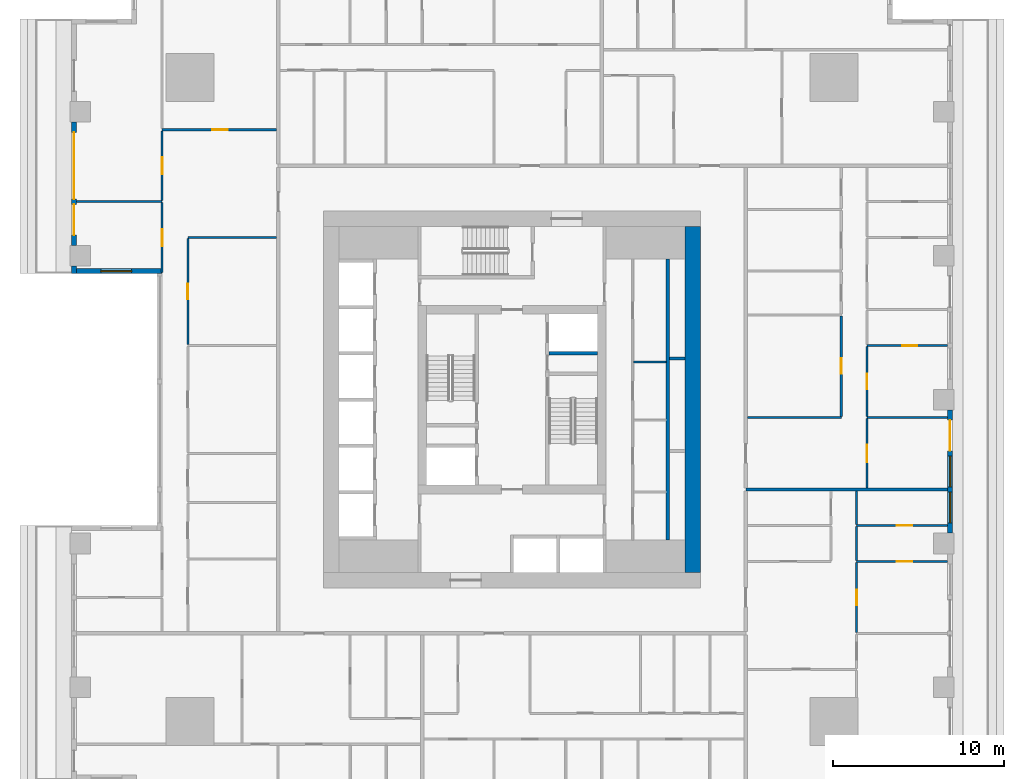
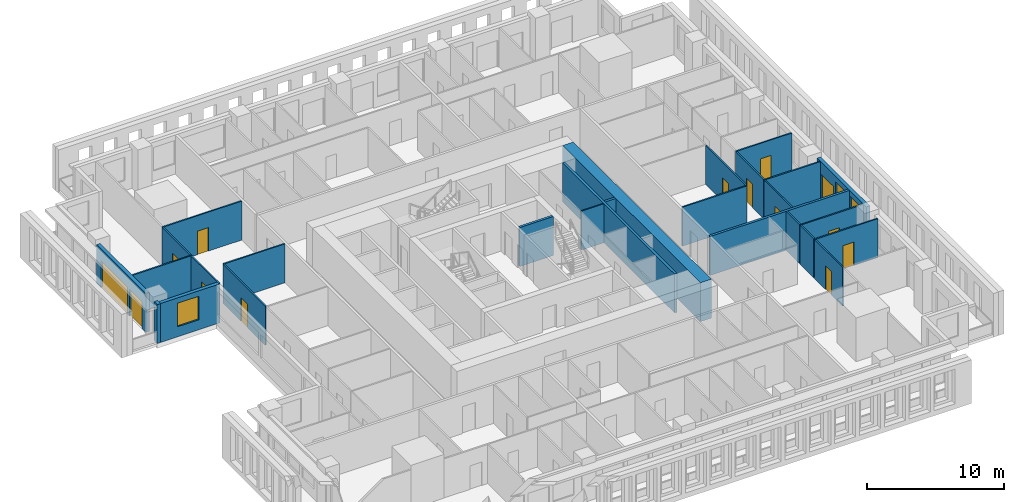
# One storey, part 6 of 15: 27 walls, 14 doors, 3 windows, 17 openings.
"""IFC4 building model written with IfcOpenShell, lengths in metres."""

from ifc_helpers import new_model, si_unit, direction, frame, frame_2d, origin, place, context, subcontext, project, spatial, rectangle, extrude, material, layer, layer_set, type_object, element, fill, save


model = new_model("IFC4")

# Units and contexts
model_context = context("Model", 3, precision=1e-05, world=origin(), true_north=direction((0.0, 1.0)))
body_context = subcontext(model_context, "Body", "Model", "MODEL_VIEW")
ifc_project = project(units=[si_unit("LENGTHUNIT", "METRE"), si_unit("AREAUNIT", "SQUARE_METRE"), si_unit("VOLUMEUNIT", "CUBIC_METRE"), si_unit("PLANEANGLEUNIT", "RADIAN"), si_unit("MASSUNIT", "GRAM", prefix="KILO")], contexts=[model_context])

# Site, building, storey
site_placement = place(None, origin())
site = spatial("IfcSite", under=ifc_project, at=site_placement, CompositionType="ELEMENT")
building_placement = place(site_placement, origin())
building = spatial("IfcBuilding", under=site, at=building_placement, Name="Khepri Terraces", CompositionType="ELEMENT")
storey_placement = place(building_placement, frame((0.0, 0.0, 98.699951171875)))
storey = spatial("IfcBuildingStorey", under=building, at=storey_placement, Name="L23", CompositionType="ELEMENT", Elevation=98.699951171875)

# Walls
ifc_material_1 = material(Name="Concrete C70/85", Category="concrete")
ifc_layer_1 = layer(ifc_material_1, 0.199951171875, Name="Concrete C70/85", Category="concrete")
ifc_layer_set_1 = layer_set([ifc_layer_1], Name="Concrete C70/85")
wall_type_1 = type_object("IfcWallType", Name="Core wall 200 C70/85", PredefinedType="SHEAR", material=ifc_layer_set_1)
wall_1_placement = place(storey_placement, frame((9.10009765625, -8.199951171875, 0.0), z_axis=(0.0, 0.0, 1.0), x_axis=(0.0, 1.0, 0.0)))
element("IfcWall", 1, at=wall_1_placement, inside=storey, type_object=wall_type_1, Name="Core wall SH05 L23", PredefinedType="SHEAR", context=body_context, shape_type="SweptSolid", body=[
    extrude(rectangle(XDim=16.39990234375, YDim=0.199951171875, at=frame_2d((8.199951171875, 0.0))), origin(), (0.0, 0.0, 1.0), 3.47998046875),
])
wall_2_placement = place(storey_placement, frame((9.199951171875, 2.39990234375, 0.0), z_axis=(0.0, 0.0, 1.0), x_axis=(1.0, 0.0, 0.0)))
element("IfcWall", 2, at=wall_2_placement, inside=storey, type_object=wall_type_1, Name="Core wall SH16 L23", PredefinedType="SHEAR", context=body_context, shape_type="SweptSolid", body=[
    extrude(rectangle(XDim=0.900146484375, YDim=0.199951171875, at=frame_2d((0.4501953125, 0.0))), origin(), (0.0, 0.0, 1.0), 3.47998046875),
])
wall_3_placement = place(storey_placement, frame((2.14990234375, 2.699951171875, 0.0), z_axis=(0.0, 0.0, 1.0), x_axis=(1.0, 0.0, 0.0)))
element("IfcWall", 3, at=wall_3_placement, inside=storey, type_object=wall_type_1, Name="Core wall SH18 L23", PredefinedType="SHEAR", context=body_context, shape_type="SweptSolid", body=[
    extrude(rectangle(XDim=2.85009765625, YDim=0.199951171875, at=frame_2d((1.425048828125, 0.0))), origin(), (0.0, 0.0, 1.0), 3.47998046875),
])
ifc_layer_2 = layer(ifc_material_1, 0.89990234375, Name="Concrete C70/85", Category="concrete")
ifc_layer_set_2 = layer_set([ifc_layer_2], Name="Concrete C70/85")
wall_type_2 = type_object("IfcWallType", Name="Core wall 900 C70/85", PredefinedType="SHEAR", material=ifc_layer_set_2)
wall_4_placement = place(storey_placement, frame((10.550048828125, -10.10009765625, 0.0), z_axis=(0.0, 0.0, 1.0), x_axis=(0.0, 1.0, 0.0)))
element("IfcWall", 4, at=wall_4_placement, inside=storey, type_object=wall_type_2, Name="Core wall OW-E L23", PredefinedType="SHEAR", context=body_context, shape_type="SweptSolid", body=[
    extrude(rectangle(XDim=20.2001953125, YDim=0.89990234375, at=frame_2d((10.10009765625, 0.0))), origin(), (0.0, 0.0, 1.0), 3.47998046875),
])
ifc_material_2 = material(Name="Fire-rated gypsum board partition")
ifc_layer_3 = layer(ifc_material_2, 0.10009765625, Name="Fire-rated gypsum board partition")
ifc_layer_set_3 = layer_set([ifc_layer_3], Name="Fire-rated gypsum board partition")
wall_type_3 = type_object("IfcWallType", Name="WL-CORE-PART-100", PredefinedType="PARTITIONING", material=ifc_layer_set_3)
wall_5_placement = place(storey_placement, frame((7.10009765625, 2.199951171875, 0.0), z_axis=(0.0, 0.0, 1.0), x_axis=(1.0, 0.0, 0.0)))
element("IfcWall", 5, at=wall_5_placement, inside=storey, type_object=wall_type_3, Name="Core partition PT06 L23", PredefinedType="PARTITIONING", context=body_context, shape_type="SweptSolid", body=[
    extrude(rectangle(XDim=1.89990234375, YDim=0.10009765625, at=frame_2d((0.949951171875, 0.0))), origin(), (0.0, 0.0, 1.0), 3.47998046875),
])
ifc_material_3 = material(Name="Fire-rated gypsum plasterboard partition, mineral wool")
ifc_layer_4 = layer(ifc_material_3, 0.199951171875, Name="Fire-rated gypsum plasterboard partition, mineral wool")
ifc_layer_set_4 = layer_set([ifc_layer_4], Name="Fire-rated gypsum plasterboard partition, mineral wool")
wall_type_4 = type_object("IfcWallType", Name="WL-CORR-200", PredefinedType="PARTITIONING", material=ifc_layer_set_4)
wall_6_placement = place(storey_placement, frame((13.64990234375, -5.25, 0.0), z_axis=(0.0, 0.0, 1.0), x_axis=(1.0, 0.0, 0.0)))
element("IfcWall", 6, at=wall_6_placement, inside=storey, type_object=wall_type_4, Name="Partition P-051 L23", PredefinedType="PARTITIONING", context=body_context, shape_type="SweptSolid", body=[
    extrude(rectangle(XDim=11.77001953125, YDim=0.199951171875, at=frame_2d((5.885009765625, 0.0))), origin(), (0.0, 0.0, 1.0), 3.47998046875),
])

# Wall, openings, door, windows
ifc_material_4 = material(Name="Precast concrete C50/60 warm stone", Category="masonry")
ifc_layer_5 = layer(ifc_material_4, 0.300048828125, Name="Precast concrete C50/60 warm stone", Category="masonry")
ifc_layer_set_5 = layer_set([ifc_layer_5], Name="Precast concrete C50/60 warm stone")
wall_type_5 = type_object("IfcWallType", Name="WL-EXT-PRECAST-300", PredefinedType="STANDARD", material=ifc_layer_set_5)
wall_7_placement = place(storey_placement, frame((25.570068359375, -7.800048828125, 0.0), z_axis=(0.0, 0.0, 1.0), x_axis=(0.0, 1.0, 0.0)))
wall_7 = element("IfcWall", 7, at=wall_7_placement, inside=storey, type_object=wall_type_5, Name="External wall L23 E", PredefinedType="STANDARD", context=body_context, shape_type="SweptSolid", body=[
    extrude(rectangle(XDim=7.199951171875, YDim=0.300048828125, at=frame_2d((3.60009765625, 0.0))), origin(), (0.0, 0.0, 1.0), 3.47998046875),
])
opening_1_placement = place(wall_7_placement, frame((0.60009765625, 0.0, 0.89990234375)))
opening_1 = element("IfcOpeningElement", 8, at=opening_1_placement, cuts=wall_7, Name="Opening W1", PredefinedType="OPENING", context=body_context, shape_type="SweptSolid", body=[
    extrude(rectangle(XDim=1.800048828125, YDim=2.10009765625, at=frame_2d((0.89990234375, 1.050048828125))), frame((0.0, 0.16015625, 0.0), z_axis=(0.0, -1.0, 0.0), x_axis=(1.0, 0.0, 0.0)), (0.0, 0.0, 1.0), 0.320068359375),
])
opening_2_placement = place(wall_7_placement, frame((2.699951171875, 0.0, 0.89990234375)))
opening_2 = element("IfcOpeningElement", 9, at=opening_2_placement, cuts=wall_7, Name="Opening W1", PredefinedType="OPENING", context=body_context, shape_type="SweptSolid", body=[
    extrude(rectangle(XDim=1.800048828125, YDim=2.10009765625, at=frame_2d((0.89990234375, 1.050048828125))), frame((0.0, 0.16015625, 0.0), z_axis=(0.0, -1.0, 0.0), x_axis=(1.0, 0.0, 0.0)), (0.0, 0.0, 1.0), 0.320068359375),
])
opening_3_placement = place(wall_7_placement, frame((4.800048828125, 0.0, 0.0)))
opening_3 = element("IfcOpeningElement", 10, at=opening_3_placement, cuts=wall_7, Name="Opening ED-L23-04", PredefinedType="OPENING", context=body_context, shape_type="SweptSolid", body=[
    extrude(rectangle(XDim=1.800048828125, YDim=2.39990234375, at=frame_2d((0.89990234375, 1.199951171875))), frame((0.0, 0.16015625, 0.0), z_axis=(0.0, -1.0, 0.0), x_axis=(1.0, 0.0, 0.0)), (0.0, 0.0, 1.0), 0.320068359375),
])
ifc_material_5 = material(Name="Anodised aluminium bronze glazed door", Category="aluminium")
door_type_1 = type_object("IfcDoorType", Name="DR-BAL-SLIDE-1800x2400", OperationType="NOTDEFINED", PredefinedType="DOOR", material=ifc_material_5)
door_1_placement = place(opening_3_placement, origin())
door_1 = element("IfcDoor", 11, at=door_1_placement, inside=storey, type_object=door_type_1, Name="Balcony door L23 E", OperationType="SLIDING_TO_RIGHT", OverallHeight=2.39990234375, OverallWidth=1.800048828125, PredefinedType="DOOR", context=body_context, shape_type="SweptSolid", body=[
    extrude(rectangle(XDim=1.800048828125, YDim=2.39990234375, at=frame_2d((0.89990234375, 1.199951171875))), frame((0.0, 0.02490234375, 0.0), z_axis=(0.0, -1.0, 0.0), x_axis=(1.0, 0.0, 0.0)), (0.0, 0.0, 1.0), 0.050048828125),
])
fill(opening_3, door_1)
ifc_material_6 = material(Name="Clear glass", Category="glass")
window_type = type_object("IfcWindowType", Name="WIN-RES-1800x2100", PartitioningType="SINGLE_PANEL", PredefinedType="WINDOW", material=ifc_material_6)
window_1_placement = place(opening_1_placement, origin())
window_1 = element("IfcWindow", 12, at=window_1_placement, inside=storey, type_object=window_type, Name="Window L23 E", OverallHeight=2.10009765625, OverallWidth=1.800048828125, PartitioningType="SINGLE_PANEL", PredefinedType="WINDOW", context=body_context, shape_type="SweptSolid", body=[
    extrude(rectangle(XDim=1.800048828125, YDim=2.10009765625, at=frame_2d((0.89990234375, 1.050048828125))), frame((0.0, 0.030029296875, 0.0), z_axis=(0.0, -1.0, 0.0), x_axis=(1.0, 0.0, 0.0)), (0.0, 0.0, 1.0), 0.06005859375),
])
fill(opening_1, window_1)
window_2_placement = place(opening_2_placement, origin())
window_2 = element("IfcWindow", 13, at=window_2_placement, inside=storey, type_object=window_type, Name="Window L23 E", OverallHeight=2.10009765625, OverallWidth=1.800048828125, PartitioningType="SINGLE_PANEL", PredefinedType="WINDOW", context=body_context, shape_type="SweptSolid", body=[
    extrude(rectangle(XDim=1.800048828125, YDim=2.10009765625, at=frame_2d((0.89990234375, 1.050048828125))), frame((0.0, 0.030029296875, 0.0), z_axis=(0.0, -1.0, 0.0), x_axis=(1.0, 0.0, 0.0)), (0.0, 0.0, 1.0), 0.06005859375),
])
fill(opening_2, window_2)

# Wall, openings, doors
wall_8_placement = place(storey_placement, frame((-25.570068359375, 16.199951171875, 0.0), z_axis=(0.0, 0.0, 1.0), x_axis=(0.0, -1.0, 0.0)))
wall_8 = element("IfcWall", 14, at=wall_8_placement, inside=storey, type_object=wall_type_5, Name="External wall L23 W", PredefinedType="STANDARD", context=body_context, shape_type="SweptSolid", body=[
    extrude(rectangle(XDim=7.199951171875, YDim=0.300048828125, at=frame_2d((3.60009765625, 0.0))), origin(), (0.0, 0.0, 1.0), 3.47998046875),
])
opening_4_placement = place(wall_8_placement, frame((0.60009765625, 0.0, 0.0)))
opening_4 = element("IfcOpeningElement", 15, at=opening_4_placement, cuts=wall_8, Name="Opening ED-L23-14", PredefinedType="OPENING", context=body_context, shape_type="SweptSolid", body=[
    extrude(rectangle(XDim=3.89990234375, YDim=2.39990234375, at=frame_2d((1.949951171875, 1.199951171875))), frame((0.0, 0.16015625, 0.0), z_axis=(0.0, -1.0, 0.0), x_axis=(1.0, 0.0, 0.0)), (0.0, 0.0, 1.0), 0.320068359375),
])
opening_5_placement = place(wall_8_placement, frame((4.800048828125, 0.0, 0.0)))
opening_5 = element("IfcOpeningElement", 16, at=opening_5_placement, cuts=wall_8, Name="Opening ED-L23-15", PredefinedType="OPENING", context=body_context, shape_type="SweptSolid", body=[
    extrude(rectangle(XDim=1.800048828125, YDim=2.39990234375, at=frame_2d((0.89990234375, 1.199951171875))), frame((0.0, 0.16015625, 0.0), z_axis=(0.0, -1.0, 0.0), x_axis=(1.0, 0.0, 0.0)), (0.0, 0.0, 1.0), 0.320068359375),
])
door_2_placement = place(opening_5_placement, origin())
door_2 = element("IfcDoor", 17, at=door_2_placement, inside=storey, type_object=door_type_1, Name="Balcony door L23 W", OperationType="SLIDING_TO_RIGHT", OverallHeight=2.39990234375, OverallWidth=1.800048828125, PredefinedType="DOOR", context=body_context, shape_type="SweptSolid", body=[
    extrude(rectangle(XDim=1.800048828125, YDim=2.39990234375, at=frame_2d((0.89990234375, 1.199951171875))), frame((0.0, 0.02490234375, 0.0), z_axis=(0.0, -1.0, 0.0), x_axis=(1.0, 0.0, 0.0)), (0.0, 0.0, 1.0), 0.050048828125),
])
fill(opening_5, door_2)
door_type_2 = type_object("IfcDoorType", Name="DR-BAL-SLIDE-3900x2400", OperationType="NOTDEFINED", PredefinedType="DOOR", material=ifc_material_5)
door_3_placement = place(opening_4_placement, origin())
door_3 = element("IfcDoor", 18, at=door_3_placement, inside=storey, type_object=door_type_2, Name="Balcony door L23 W", OperationType="SLIDING_TO_LEFT", OverallHeight=2.39990234375, OverallWidth=3.89990234375, PredefinedType="DOOR", context=body_context, shape_type="SweptSolid", body=[
    extrude(rectangle(XDim=3.89990234375, YDim=2.39990234375, at=frame_2d((1.949951171875, 1.199951171875))), frame((0.0, 0.02490234375, 0.0), z_axis=(0.0, -1.0, 0.0), x_axis=(1.0, 0.0, 0.0)), (0.0, 0.0, 1.0), 0.050048828125),
])
fill(opening_4, door_3)

# Wall
wall_9_placement = place(storey_placement, frame((-25.570068359375, 7.800048828125, 0.0), z_axis=(0.0, 0.0, 1.0), x_axis=(0.0, -1.0, 0.0)))
element("IfcWall", 19, at=wall_9_placement, inside=storey, type_object=wall_type_5, Name="External wall L23 W", PredefinedType="STANDARD", context=body_context, shape_type="SweptSolid", body=[
    extrude(rectangle(XDim=0.449951171875, YDim=0.300048828125, at=frame_2d((0.22509765625, 0.0))), origin(), (0.0, 0.0, 1.0), 3.47998046875),
])

# Wall, opening, window
wall_10_placement = place(storey_placement, frame((-25.419921875, 7.5, 0.0), z_axis=(0.0, 0.0, 1.0), x_axis=(1.0, 0.0, 0.0)))
wall_10 = element("IfcWall", 20, at=wall_10_placement, inside=storey, type_object=wall_type_5, Name="External wall L23 S", PredefinedType="STANDARD", context=body_context, shape_type="SweptSolid", body=[
    extrude(rectangle(XDim=5.0, YDim=0.300048828125, at=frame_2d((2.5, 0.0))), origin(), (0.0, 0.0, 1.0), 3.47998046875),
])
opening_6_placement = place(wall_10_placement, frame((1.419921875, 0.0, 0.89990234375)))
opening_6 = element("IfcOpeningElement", 21, at=opening_6_placement, cuts=wall_10, Name="Opening W1", PredefinedType="OPENING", context=body_context, shape_type="SweptSolid", body=[
    extrude(rectangle(XDim=1.800048828125, YDim=2.10009765625, at=frame_2d((0.89990234375, 1.050048828125))), frame((0.0, 0.16015625, 0.0), z_axis=(0.0, -1.0, 0.0), x_axis=(1.0, 0.0, 0.0)), (0.0, 0.0, 1.0), 0.320068359375),
])
window_3_placement = place(opening_6_placement, origin())
window_3 = element("IfcWindow", 22, at=window_3_placement, inside=storey, type_object=window_type, Name="Window L23 S", OverallHeight=2.10009765625, OverallWidth=1.800048828125, PartitioningType="SINGLE_PANEL", PredefinedType="WINDOW", context=body_context, shape_type="SweptSolid", body=[
    extrude(rectangle(XDim=1.800048828125, YDim=2.10009765625, at=frame_2d((0.89990234375, 1.050048828125))), frame((0.0, 0.030029296875, 0.0), z_axis=(0.0, -1.0, 0.0), x_axis=(1.0, 0.0, 0.0)), (0.0, 0.0, 1.0), 0.06005859375),
])
fill(opening_6, window_3)

# Wall, opening, door
ifc_material_7 = material(Name="Gypsum plasterboard partition")
ifc_layer_6 = layer(ifc_material_7, 0.1201171875, Name="Gypsum plasterboard partition")
ifc_layer_set_6 = layer_set([ifc_layer_6], Name="Gypsum plasterboard partition")
wall_type_6 = type_object("IfcWallType", Name="WL-PART-120", PredefinedType="PARTITIONING", material=ifc_layer_set_6)
wall_11_placement = place(storey_placement, frame((20.1201171875, -13.590087890625, 0.0), z_axis=(0.0, 0.0, 1.0), x_axis=(0.0, 1.0, 0.0)))
wall_11 = element("IfcWall", 23, at=wall_11_placement, inside=storey, type_object=wall_type_6, Name="Partition P-031 L23", PredefinedType="PARTITIONING", context=body_context, shape_type="SweptSolid", body=[
    extrude(rectangle(XDim=4.080078125, YDim=0.1201171875, at=frame_2d((2.0400390625, 0.0))), origin(), (0.0, 0.0, 1.0), 3.47998046875),
])
opening_7_placement = place(wall_11_placement, frame((1.590087890625, 0.0, 0.0)))
opening_7 = element("IfcOpeningElement", 24, at=opening_7_placement, cuts=wall_11, Name="Opening D3", PredefinedType="OPENING", context=body_context, shape_type="SweptSolid", body=[
    extrude(rectangle(XDim=0.89990234375, YDim=2.10009765625, at=frame_2d((0.449951171875, 1.050048828125))), frame((0.0, 0.070068359375, 0.0), z_axis=(0.0, -1.0, 0.0), x_axis=(1.0, 0.0, 0.0)), (0.0, 0.0, 1.0), 0.14013671875),
])
ifc_material_8 = material(Name="Timber door leaf", Category="wood")
door_type_3 = type_object("IfcDoorType", Name="DR-INT-900", OperationType="NOTDEFINED", PredefinedType="DOOR", material=ifc_material_8)
door_4_placement = place(opening_7_placement, frame((0.89990234375, 0.0, 0.0), z_axis=(0.0, 0.0, 1.0), x_axis=(-1.0, 0.0, 0.0)))
door_4 = element("IfcDoor", 25, at=door_4_placement, inside=storey, type_object=door_type_3, Name="Door Master Bedroom", OperationType="SINGLE_SWING_RIGHT", OverallHeight=2.10009765625, OverallWidth=0.89990234375, PredefinedType="DOOR", context=body_context, shape_type="SweptSolid", body=[
    extrude(rectangle(XDim=0.89990234375, YDim=2.10009765625, at=frame_2d((0.449951171875, 1.050048828125))), frame((0.0, 0.02490234375, 0.0), z_axis=(0.0, -1.0, 0.0), x_axis=(1.0, 0.0, 0.0)), (0.0, 0.0, 1.0), 0.050048828125),
])
fill(opening_7, door_4)

wall_12_placement = place(storey_placement, frame((20.1201171875, -9.449951171875, 0.0), z_axis=(0.0, 0.0, 1.0), x_axis=(1.0, 0.0, 0.0)))
wall_12 = element("IfcWall", 26, at=wall_12_placement, inside=storey, type_object=wall_type_6, Name="Partition P-039 L23", PredefinedType="PARTITIONING", context=body_context, shape_type="SweptSolid", body=[
    extrude(rectangle(XDim=5.2998046875, YDim=0.1201171875, at=frame_2d((2.64990234375, 0.0))), origin(), (0.0, 0.0, 1.0), 3.47998046875),
])
opening_8_placement = place(wall_12_placement, frame((2.35009765625, 0.0, 0.0)))
opening_8 = element("IfcOpeningElement", 27, at=opening_8_placement, cuts=wall_12, Name="Opening D3", PredefinedType="OPENING", context=body_context, shape_type="SweptSolid", body=[
    extrude(rectangle(XDim=0.89990234375, YDim=2.10009765625, at=frame_2d((0.449951171875, 1.050048828125))), frame((0.0, 0.070068359375, 0.0), z_axis=(0.0, -1.0, 0.0), x_axis=(1.0, 0.0, 0.0)), (0.0, 0.0, 1.0), 0.14013671875),
])
door_5_placement = place(opening_8_placement, origin())
door_5 = element("IfcDoor", 28, at=door_5_placement, inside=storey, type_object=door_type_3, Name="Door Dressing Room", OperationType="SINGLE_SWING_RIGHT", OverallHeight=2.10009765625, OverallWidth=0.89990234375, PredefinedType="DOOR", context=body_context, shape_type="SweptSolid", body=[
    extrude(rectangle(XDim=0.89990234375, YDim=2.10009765625, at=frame_2d((0.449951171875, 1.050048828125))), frame((0.0, 0.02490234375, 0.0), z_axis=(0.0, -1.0, 0.0), x_axis=(1.0, 0.0, 0.0)), (0.0, 0.0, 1.0), 0.050048828125),
])
fill(opening_8, door_5)

# Wall
wall_13_placement = place(storey_placement, frame((20.1201171875, -9.389892578125, 0.0), z_axis=(0.0, 0.0, 1.0), x_axis=(0.0, 1.0, 0.0)))
element("IfcWall", 29, at=wall_13_placement, inside=storey, type_object=wall_type_6, Name="Partition P-041 L23", PredefinedType="PARTITIONING", context=body_context, shape_type="SweptSolid", body=[
    extrude(rectangle(XDim=1.97998046875, YDim=0.1201171875, at=frame_2d((0.989990234375, 0.0))), origin(), (0.0, 0.0, 1.0), 3.47998046875),
])

# Wall, opening, door
wall_14_placement = place(storey_placement, frame((20.1201171875, -7.35009765625, 0.0), z_axis=(0.0, 0.0, 1.0), x_axis=(1.0, 0.0, 0.0)))
wall_14 = element("IfcWall", 30, at=wall_14_placement, inside=storey, type_object=wall_type_6, Name="Partition P-046 L23", PredefinedType="PARTITIONING", context=body_context, shape_type="SweptSolid", body=[
    extrude(rectangle(XDim=5.2998046875, YDim=0.1201171875, at=frame_2d((2.64990234375, 0.0))), origin(), (0.0, 0.0, 1.0), 3.47998046875),
])
opening_9_placement = place(wall_14_placement, frame((2.35009765625, 0.0, 0.0)))
opening_9 = element("IfcOpeningElement", 31, at=opening_9_placement, cuts=wall_14, Name="Opening D4", PredefinedType="OPENING", context=body_context, shape_type="SweptSolid", body=[
    extrude(rectangle(XDim=0.89990234375, YDim=2.10009765625, at=frame_2d((0.449951171875, 1.050048828125))), frame((0.0, 0.070068359375, 0.0), z_axis=(0.0, -1.0, 0.0), x_axis=(1.0, 0.0, 0.0)), (0.0, 0.0, 1.0), 0.14013671875),
])
ifc_material_9 = material(Name="Timber door leaf, moisture resistant", Category="wood")
door_type_4 = type_object("IfcDoorType", Name="DR-WET-900", OperationType="NOTDEFINED", PredefinedType="DOOR", material=ifc_material_9)
door_6_placement = place(opening_9_placement, origin())
door_6 = element("IfcDoor", 32, at=door_6_placement, inside=storey, type_object=door_type_4, Name="Door Bathroom", OperationType="SINGLE_SWING_RIGHT", OverallHeight=2.10009765625, OverallWidth=0.89990234375, PredefinedType="DOOR", context=body_context, shape_type="SweptSolid", body=[
    extrude(rectangle(XDim=0.89990234375, YDim=2.10009765625, at=frame_2d((0.449951171875, 1.050048828125))), frame((0.0, 0.02490234375, 0.0), z_axis=(0.0, -1.0, 0.0), x_axis=(1.0, 0.0, 0.0)), (0.0, 0.0, 1.0), 0.050048828125),
])
fill(opening_9, door_6)

# Wall
wall_15_placement = place(storey_placement, frame((20.1201171875, -7.2900390625, 0.0), z_axis=(0.0, 0.0, 1.0), x_axis=(0.0, 1.0, 0.0)))
element("IfcWall", 33, at=wall_15_placement, inside=storey, type_object=wall_type_6, Name="Partition P-048 L23", PredefinedType="PARTITIONING", context=body_context, shape_type="SweptSolid", body=[
    extrude(rectangle(XDim=1.93994140625, YDim=0.1201171875, at=frame_2d((0.969970703125, 0.0))), origin(), (0.0, 0.0, 1.0), 3.47998046875),
])

# Wall, opening, door
wall_16_placement = place(storey_placement, frame((20.719970703125, -5.14990234375, 0.0), z_axis=(0.0, 0.0, 1.0), x_axis=(0.0, 1.0, 0.0)))
wall_16 = element("IfcWall", 34, at=wall_16_placement, inside=storey, type_object=wall_type_6, Name="Partition P-053 L23", PredefinedType="PARTITIONING", context=body_context, shape_type="SweptSolid", body=[
    extrude(rectangle(XDim=4.039794921875, YDim=0.1201171875, at=frame_2d((2.02001953125, 0.0))), origin(), (0.0, 0.0, 1.0), 3.47998046875),
])
opening_10_placement = place(wall_16_placement, frame((1.5, 0.0, 0.0)))
opening_10 = element("IfcOpeningElement", 35, at=opening_10_placement, cuts=wall_16, Name="Opening D2", PredefinedType="OPENING", context=body_context, shape_type="SweptSolid", body=[
    extrude(rectangle(XDim=1.0, YDim=2.10009765625, at=frame_2d((0.5, 1.050048828125))), frame((0.0, 0.070068359375, 0.0), z_axis=(0.0, -1.0, 0.0), x_axis=(1.0, 0.0, 0.0)), (0.0, 0.0, 1.0), 0.14013671875),
])
ifc_material_10 = material(Name="Timber door leaf, living room door", Category="wood")
door_type_5 = type_object("IfcDoorType", Name="DR-INT-1000", OperationType="NOTDEFINED", PredefinedType="DOOR", material=ifc_material_10)
door_7_placement = place(opening_10_placement, frame((1.0, 0.0, 0.0), z_axis=(0.0, 0.0, 1.0), x_axis=(-1.0, 0.0, 0.0)))
door_7 = element("IfcDoor", 36, at=door_7_placement, inside=storey, type_object=door_type_5, Name="Door Living Room", OperationType="SINGLE_SWING_RIGHT", OverallHeight=2.10009765625, OverallWidth=1.0, PredefinedType="DOOR", context=body_context, shape_type="SweptSolid", body=[
    extrude(rectangle(XDim=1.0, YDim=2.10009765625, at=frame_2d((0.5, 1.050048828125))), frame((0.0, 0.02490234375, 0.0), z_axis=(0.0, -1.0, 0.0), x_axis=(1.0, 0.0, 0.0)), (0.0, 0.0, 1.0), 0.050048828125),
])
fill(opening_10, door_7)

# Walls
wall_17_placement = place(storey_placement, frame((13.75, -1.050048828125, 0.0), z_axis=(0.0, 0.0, 1.0), x_axis=(1.0, 0.0, 0.0)))
element("IfcWall", 37, at=wall_17_placement, inside=storey, type_object=wall_type_6, Name="Partition P-056 L23", PredefinedType="PARTITIONING", context=body_context, shape_type="SweptSolid", body=[
    extrude(rectangle(XDim=5.469970703125, YDim=0.1201171875, at=frame_2d((2.73486328125, 0.0))), origin(), (0.0, 0.0, 1.0), 3.47998046875),
])
wall_18_placement = place(storey_placement, frame((20.719970703125, -1.050048828125, 0.0), z_axis=(0.0, 0.0, 1.0), x_axis=(1.0, 0.0, 0.0)))
element("IfcWall", 38, at=wall_18_placement, inside=storey, type_object=wall_type_6, Name="Partition P-057 L23", PredefinedType="PARTITIONING", context=body_context, shape_type="SweptSolid", body=[
    extrude(rectangle(XDim=4.699951171875, YDim=0.1201171875, at=frame_2d((2.35009765625, 0.0))), origin(), (0.0, 0.0, 1.0), 3.47998046875),
])

# Wall, opening, door
wall_19_placement = place(storey_placement, frame((19.219970703125, -0.989990234375, 0.0), z_axis=(0.0, 0.0, 1.0), x_axis=(0.0, 1.0, 0.0)))
wall_19 = element("IfcWall", 39, at=wall_19_placement, inside=storey, type_object=wall_type_6, Name="Partition P-058 L23", PredefinedType="PARTITIONING", context=body_context, shape_type="SweptSolid", body=[
    extrude(rectangle(XDim=5.8798828125, YDim=0.1201171875, at=frame_2d((2.93994140625, 0.0))), origin(), (0.0, 0.0, 1.0), 3.47998046875),
])
opening_11_placement = place(wall_19_placement, frame((2.489990234375, 0.0, 0.0)))
opening_11 = element("IfcOpeningElement", 40, at=opening_11_placement, cuts=wall_19, Name="Opening D3", PredefinedType="OPENING", context=body_context, shape_type="SweptSolid", body=[
    extrude(rectangle(XDim=0.89990234375, YDim=2.10009765625, at=frame_2d((0.449951171875, 1.050048828125))), frame((0.0, 0.070068359375, 0.0), z_axis=(0.0, -1.0, 0.0), x_axis=(1.0, 0.0, 0.0)), (0.0, 0.0, 1.0), 0.14013671875),
])
door_8_placement = place(opening_11_placement, origin())
door_8 = element("IfcDoor", 41, at=door_8_placement, inside=storey, type_object=door_type_3, Name="Door Kitchen", OperationType="SINGLE_SWING_RIGHT", OverallHeight=2.10009765625, OverallWidth=0.89990234375, PredefinedType="DOOR", context=body_context, shape_type="SweptSolid", body=[
    extrude(rectangle(XDim=0.89990234375, YDim=2.10009765625, at=frame_2d((0.449951171875, 1.050048828125))), frame((0.0, 0.02490234375, 0.0), z_axis=(0.0, -1.0, 0.0), x_axis=(1.0, 0.0, 0.0)), (0.0, 0.0, 1.0), 0.050048828125),
])
fill(opening_11, door_8)

wall_20_placement = place(storey_placement, frame((20.719970703125, -0.989990234375, 0.0), z_axis=(0.0, 0.0, 1.0), x_axis=(0.0, 1.0, 0.0)))
wall_20 = element("IfcWall", 42, at=wall_20_placement, inside=storey, type_object=wall_type_6, Name="Partition P-059 L23", PredefinedType="PARTITIONING", context=body_context, shape_type="SweptSolid", body=[
    extrude(rectangle(XDim=4.080078125, YDim=0.1201171875, at=frame_2d((2.0400390625, 0.0))), origin(), (0.0, 0.0, 1.0), 3.47998046875),
])
opening_12_placement = place(wall_20_placement, frame((1.590087890625, 0.0, 0.0)))
opening_12 = element("IfcOpeningElement", 43, at=opening_12_placement, cuts=wall_20, Name="Opening D3", PredefinedType="OPENING", context=body_context, shape_type="SweptSolid", body=[
    extrude(rectangle(XDim=0.89990234375, YDim=2.10009765625, at=frame_2d((0.449951171875, 1.050048828125))), frame((0.0, 0.070068359375, 0.0), z_axis=(0.0, -1.0, 0.0), x_axis=(1.0, 0.0, 0.0)), (0.0, 0.0, 1.0), 0.14013671875),
])
door_9_placement = place(opening_12_placement, frame((0.89990234375, 0.0, 0.0), z_axis=(0.0, 0.0, 1.0), x_axis=(-1.0, 0.0, 0.0)))
door_9 = element("IfcDoor", 44, at=door_9_placement, inside=storey, type_object=door_type_3, Name="Door Bedroom", OperationType="SINGLE_SWING_LEFT", OverallHeight=2.10009765625, OverallWidth=0.89990234375, PredefinedType="DOOR", context=body_context, shape_type="SweptSolid", body=[
    extrude(rectangle(XDim=0.89990234375, YDim=2.10009765625, at=frame_2d((0.449951171875, 1.050048828125))), frame((0.0, 0.02490234375, 0.0), z_axis=(0.0, -1.0, 0.0), x_axis=(1.0, 0.0, 0.0)), (0.0, 0.0, 1.0), 0.050048828125),
])
fill(opening_12, door_9)

wall_21_placement = place(storey_placement, frame((20.719970703125, 3.14990234375, 0.0), z_axis=(0.0, 0.0, 1.0), x_axis=(1.0, 0.0, 0.0)))
wall_21 = element("IfcWall", 45, at=wall_21_placement, inside=storey, type_object=wall_type_6, Name="Partition P-061 L23", PredefinedType="PARTITIONING", context=body_context, shape_type="SweptSolid", body=[
    extrude(rectangle(XDim=4.699951171875, YDim=0.1201171875, at=frame_2d((2.35009765625, 0.0))), origin(), (0.0, 0.0, 1.0), 3.47998046875),
])
opening_13_placement = place(wall_21_placement, frame((2.050048828125, 0.0, 0.0)))
opening_13 = element("IfcOpeningElement", 46, at=opening_13_placement, cuts=wall_21, Name="Opening D4", PredefinedType="OPENING", context=body_context, shape_type="SweptSolid", body=[
    extrude(rectangle(XDim=0.89990234375, YDim=2.10009765625, at=frame_2d((0.449951171875, 1.050048828125))), frame((0.0, 0.070068359375, 0.0), z_axis=(0.0, -1.0, 0.0), x_axis=(1.0, 0.0, 0.0)), (0.0, 0.0, 1.0), 0.14013671875),
])
door_10_placement = place(opening_13_placement, origin())
door_10 = element("IfcDoor", 47, at=door_10_placement, inside=storey, type_object=door_type_4, Name="Door Bathroom", OperationType="SINGLE_SWING_RIGHT", OverallHeight=2.10009765625, OverallWidth=0.89990234375, PredefinedType="DOOR", context=body_context, shape_type="SweptSolid", body=[
    extrude(rectangle(XDim=0.89990234375, YDim=2.10009765625, at=frame_2d((0.449951171875, 1.050048828125))), frame((0.0, 0.02490234375, 0.0), z_axis=(0.0, -1.0, 0.0), x_axis=(1.0, 0.0, 0.0)), (0.0, 0.0, 1.0), 0.050048828125),
])
fill(opening_13, door_10)

wall_22_placement = place(storey_placement, frame((-18.919921875, 3.2099609375, 0.0), z_axis=(0.0, 0.0, 1.0), x_axis=(0.0, 1.0, 0.0)))
wall_22 = element("IfcWall", 48, at=wall_22_placement, inside=storey, type_object=wall_type_6, Name="Partition P-062 L23", PredefinedType="PARTITIONING", context=body_context, shape_type="SweptSolid", body=[
    extrude(rectangle(XDim=6.179931640625, YDim=0.1201171875, at=frame_2d((3.08984375, 0.0))), origin(), (0.0, 0.0, 1.0), 3.47998046875),
])
opening_14_placement = place(wall_22_placement, frame((2.639892578125, 0.0, 0.0)))
opening_14 = element("IfcOpeningElement", 49, at=opening_14_placement, cuts=wall_22, Name="Opening D3", PredefinedType="OPENING", context=body_context, shape_type="SweptSolid", body=[
    extrude(rectangle(XDim=0.89990234375, YDim=2.10009765625, at=frame_2d((0.449951171875, 1.050048828125))), frame((0.0, 0.070068359375, 0.0), z_axis=(0.0, -1.0, 0.0), x_axis=(1.0, 0.0, 0.0)), (0.0, 0.0, 1.0), 0.14013671875),
])
door_11_placement = place(opening_14_placement, frame((0.89990234375, 0.0, 0.0), z_axis=(0.0, 0.0, 1.0), x_axis=(-1.0, 0.0, 0.0)))
door_11 = element("IfcDoor", 50, at=door_11_placement, inside=storey, type_object=door_type_3, Name="Door Kitchen", OperationType="SINGLE_SWING_RIGHT", OverallHeight=2.10009765625, OverallWidth=0.89990234375, PredefinedType="DOOR", context=body_context, shape_type="SweptSolid", body=[
    extrude(rectangle(XDim=0.89990234375, YDim=2.10009765625, at=frame_2d((0.449951171875, 1.050048828125))), frame((0.0, 0.02490234375, 0.0), z_axis=(0.0, -1.0, 0.0), x_axis=(1.0, 0.0, 0.0)), (0.0, 0.0, 1.0), 0.050048828125),
])
fill(opening_14, door_11)

wall_23_placement = place(storey_placement, frame((-20.419921875, 7.409912109375, 0.0), z_axis=(0.0, 0.0, 1.0), x_axis=(0.0, 1.0, 0.0)))
wall_23 = element("IfcWall", 51, at=wall_23_placement, inside=storey, type_object=wall_type_6, Name="Partition P-069 L23", PredefinedType="PARTITIONING", context=body_context, shape_type="SweptSolid", body=[
    extrude(rectangle(XDim=4.080078125, YDim=0.1201171875, at=frame_2d((2.0400390625, 0.0))), origin(), (0.0, 0.0, 1.0), 3.47998046875),
])
opening_15_placement = place(wall_23_placement, frame((1.5400390625, 0.0, 0.0)))
opening_15 = element("IfcOpeningElement", 52, at=opening_15_placement, cuts=wall_23, Name="Opening D2", PredefinedType="OPENING", context=body_context, shape_type="SweptSolid", body=[
    extrude(rectangle(XDim=1.0, YDim=2.10009765625, at=frame_2d((0.5, 1.050048828125))), frame((0.0, 0.070068359375, 0.0), z_axis=(0.0, -1.0, 0.0), x_axis=(1.0, 0.0, 0.0)), (0.0, 0.0, 1.0), 0.14013671875),
])
door_12_placement = place(opening_15_placement, origin())
door_12 = element("IfcDoor", 53, at=door_12_placement, inside=storey, type_object=door_type_5, Name="Door Sun Lounge", OperationType="SINGLE_SWING_LEFT", OverallHeight=2.10009765625, OverallWidth=1.0, PredefinedType="DOOR", context=body_context, shape_type="SweptSolid", body=[
    extrude(rectangle(XDim=1.0, YDim=2.10009765625, at=frame_2d((0.5, 1.050048828125))), frame((0.0, 0.02490234375, 0.0), z_axis=(0.0, -1.0, 0.0), x_axis=(1.0, 0.0, 0.0)), (0.0, 0.0, 1.0), 0.050048828125),
])
fill(opening_15, door_12)

# Walls
wall_24_placement = place(storey_placement, frame((-18.919921875, 9.449951171875, 0.0), z_axis=(0.0, 0.0, 1.0), x_axis=(1.0, 0.0, 0.0)))
element("IfcWall", 54, at=wall_24_placement, inside=storey, type_object=wall_type_6, Name="Partition P-072 L23", PredefinedType="PARTITIONING", context=body_context, shape_type="SweptSolid", body=[
    extrude(rectangle(XDim=5.169921875, YDim=0.1201171875, at=frame_2d((2.5849609375, 0.0))), origin(), (0.0, 0.0, 1.0), 3.47998046875),
])
wall_25_placement = place(storey_placement, frame((-25.419921875, 11.550048828125, 0.0), z_axis=(0.0, 0.0, 1.0), x_axis=(1.0, 0.0, 0.0)))
element("IfcWall", 55, at=wall_25_placement, inside=storey, type_object=wall_type_6, Name="Partition P-077 L23", PredefinedType="PARTITIONING", context=body_context, shape_type="SweptSolid", body=[
    extrude(rectangle(XDim=5.0, YDim=0.1201171875, at=frame_2d((2.5, 0.0))), origin(), (0.0, 0.0, 1.0), 3.47998046875),
])

# Wall, opening, door
wall_26_placement = place(storey_placement, frame((-20.419921875, 11.610107421875, 0.0), z_axis=(0.0, 0.0, 1.0), x_axis=(0.0, 1.0, 0.0)))
wall_26 = element("IfcWall", 56, at=wall_26_placement, inside=storey, type_object=wall_type_6, Name="Partition P-079 L23", PredefinedType="PARTITIONING", context=body_context, shape_type="SweptSolid", body=[
    extrude(rectangle(XDim=4.079833984375, YDim=0.1201171875, at=frame_2d((2.0400390625, 0.0))), origin(), (0.0, 0.0, 1.0), 3.47998046875),
])
opening_16_placement = place(wall_26_placement, frame((1.5400390625, 0.0, 0.0)))
opening_16 = element("IfcOpeningElement", 57, at=opening_16_placement, cuts=wall_26, Name="Opening D2", PredefinedType="OPENING", context=body_context, shape_type="SweptSolid", body=[
    extrude(rectangle(XDim=1.0, YDim=2.10009765625, at=frame_2d((0.5, 1.050048828125))), frame((0.0, 0.070068359375, 0.0), z_axis=(0.0, -1.0, 0.0), x_axis=(1.0, 0.0, 0.0)), (0.0, 0.0, 1.0), 0.14013671875),
])
door_13_placement = place(opening_16_placement, origin())
door_13 = element("IfcDoor", 58, at=door_13_placement, inside=storey, type_object=door_type_5, Name="Door Living Room", OperationType="SINGLE_SWING_RIGHT", OverallHeight=2.10009765625, OverallWidth=1.0, PredefinedType="DOOR", context=body_context, shape_type="SweptSolid", body=[
    extrude(rectangle(XDim=1.0, YDim=2.10009765625, at=frame_2d((0.5, 1.050048828125))), frame((0.0, 0.02490234375, 0.0), z_axis=(0.0, -1.0, 0.0), x_axis=(1.0, 0.0, 0.0)), (0.0, 0.0, 1.0), 0.050048828125),
])
fill(opening_16, door_13)

wall_27_placement = place(storey_placement, frame((-20.419921875, 15.75, 0.0), z_axis=(0.0, 0.0, 1.0), x_axis=(1.0, 0.0, 0.0)))
wall_27 = element("IfcWall", 59, at=wall_27_placement, inside=storey, type_object=wall_type_6, Name="Partition P-092 L23", PredefinedType="PARTITIONING", context=body_context, shape_type="SweptSolid", body=[
    extrude(rectangle(XDim=6.669921875, YDim=0.1201171875, at=frame_2d((3.3349609375, 0.0))), origin(), (0.0, 0.0, 1.0), 3.47998046875),
])
opening_17_placement = place(wall_27_placement, frame((2.93505859375, 0.0, 0.0)))
opening_17 = element("IfcOpeningElement", 60, at=opening_17_placement, cuts=wall_27, Name="Opening D3", PredefinedType="OPENING", context=body_context, shape_type="SweptSolid", body=[
    extrude(rectangle(XDim=0.89990234375, YDim=2.10009765625, at=frame_2d((0.449951171875, 1.050048828125))), frame((0.0, 0.070068359375, 0.0), z_axis=(0.0, -1.0, 0.0), x_axis=(1.0, 0.0, 0.0)), (0.0, 0.0, 1.0), 0.14013671875),
])
door_14_placement = place(opening_17_placement, origin())
door_14 = element("IfcDoor", 61, at=door_14_placement, inside=storey, type_object=door_type_3, Name="Door Home Cinema", OperationType="SINGLE_SWING_RIGHT", OverallHeight=2.10009765625, OverallWidth=0.89990234375, PredefinedType="DOOR", context=body_context, shape_type="SweptSolid", body=[
    extrude(rectangle(XDim=0.89990234375, YDim=2.10009765625, at=frame_2d((0.449951171875, 1.050048828125))), frame((0.0, 0.02490234375, 0.0), z_axis=(0.0, -1.0, 0.0), x_axis=(1.0, 0.0, 0.0)), (0.0, 0.0, 1.0), 0.050048828125),
])
fill(opening_17, door_14)

save(model, "model.ifc")
